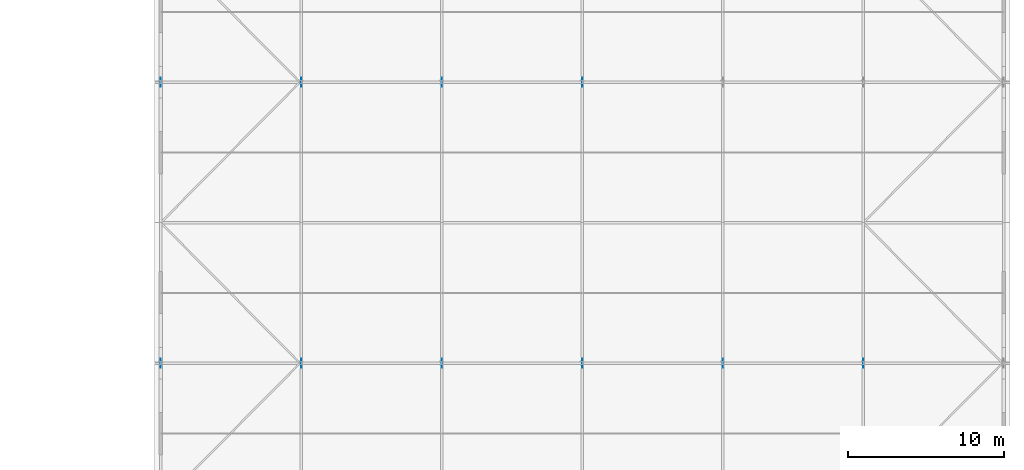
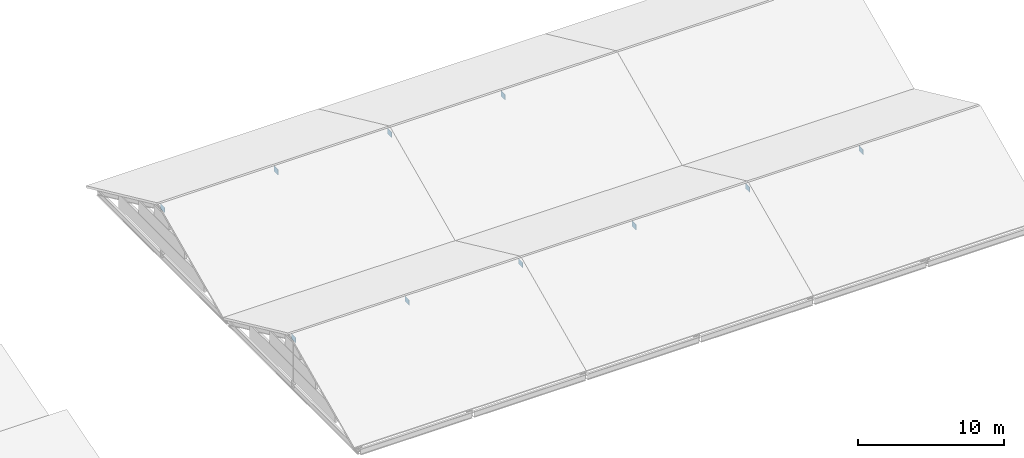
# One storey, part 146 of 163: 10 plates.
"""IFC4 building model written with IfcOpenShell, lengths in metres."""

from ifc_helpers import new_model, si_unit, direction, frame, origin, origin_2d, place, context, subcontext, project, spatial, rectangle, extrude, material, layer, layer_set, type_object, element, save


model = new_model("IFC4")

# Units and contexts
model_context = context("Model", 3, precision=1e-05, world=origin(), true_north=direction((0.0, 1.0)))
body_context = subcontext(model_context, "Body", "Model", "MODEL_VIEW")
ifc_project = project(units=[si_unit("LENGTHUNIT", "METRE"), si_unit("AREAUNIT", "SQUARE_METRE"), si_unit("VOLUMEUNIT", "CUBIC_METRE"), si_unit("PLANEANGLEUNIT", "RADIAN"), si_unit("MASSUNIT", "GRAM", prefix="KILO")], contexts=[model_context])

# Site, building, storey
site_placement = place(None, origin())
site = spatial("IfcSite", under=ifc_project, at=site_placement, CompositionType="ELEMENT")
building_placement = place(site_placement, origin())
building = spatial("IfcBuilding", under=site, at=building_placement, Name="Tharagai Park Tramway Depot", CompositionType="ELEMENT")
storey_placement = place(building_placement, frame((0.0, 0.0, 8.39990234375)))
storey = spatial("IfcBuildingStorey", under=building, at=storey_placement, Name="L02", CompositionType="ELEMENT", Elevation=8.39990234375)

# Plates
ifc_material = material(Name="Steel E350", Category="steel")
ifc_layer_1 = layer(ifc_material, 0.02392578125)
ifc_layer_set_1 = layer_set([ifc_layer_1], Name="Steel E350")
plate_type_1 = type_object("IfcPlateType", Name="GP-02", PredefinedType="SHEET", material=ifc_layer_set_1)
for number, where, z_axis, x_axis, name in (
    (1, (171.0, 108.0, 3.3447265625), (0.0, 0.0, 1.0), (1.0, 0.0, 0.0), "V3B1 Ridge Gusset Plate GP-02"),
    (2, (189.0, 108.0, 3.3447265625), (0.0, 0.0, 1.0), (1.0, 0.0, 0.0), "V3B1 Ridge Gusset Plate GP-02"),
    (3, (207.0, 108.0, 3.3447265625), (0.0, 0.0, 1.0), (1.0, 0.0, 0.0), "V3B1 Ridge Gusset Plate GP-02"),
    (4, (171.0, 126.0, 3.3447265625), (0.0, 0.0, 1.0), (1.0, 0.0, 0.0), "V3B2 Ridge Gusset Plate GP-02"),
    (5, (189.0, 126.0, 3.3447265625), (0.0, 0.0, 1.0), (1.0, 0.0, 0.0), "V3B2 Ridge Gusset Plate GP-02"),
):
    element("IfcPlate", number, at=place(storey_placement, frame(where, z_axis=z_axis, x_axis=x_axis)), inside=storey, type_object=plate_type_1, Name=name, PredefinedType="SHEET", context=body_context, shape_type="SweptSolid", body=[
        extrude(rectangle(XDim=0.02392578125, YDim=0.550048828125, at=origin_2d()), origin(), (0.0, 0.0, 1.0), 0.449951171875),
    ])
ifc_layer_2 = layer(ifc_material, 0.01611328125)
ifc_layer_set_2 = layer_set([ifc_layer_2], Name="Steel E350")
plate_type_2 = type_object("IfcPlateType", Name="GP-03", PredefinedType="SHEET", material=ifc_layer_set_2)
for number, where, z_axis, x_axis, name in (
    (6, (162.0, 108.0, 3.3447265625), (0.0, 0.0, 1.0), (1.0, 0.0, 0.0), "V3B1 Ridge Gusset Plate GP-03"),
    (7, (180.0, 108.0, 3.3447265625), (0.0, 0.0, 1.0), (1.0, 0.0, 0.0), "V3B1 Ridge Gusset Plate GP-03"),
    (8, (198.0, 108.0, 3.3447265625), (0.0, 0.0, 1.0), (1.0, 0.0, 0.0), "V3B1 Ridge Gusset Plate GP-03"),
    (9, (162.0, 126.0, 3.3447265625), (0.0, 0.0, 1.0), (1.0, 0.0, 0.0), "V3B2 Ridge Gusset Plate GP-03"),
    (10, (180.0, 126.0, 3.3447265625), (0.0, 0.0, 1.0), (1.0, 0.0, 0.0), "V3B2 Ridge Gusset Plate GP-03"),
):
    element("IfcPlate", number, at=place(storey_placement, frame(where, z_axis=z_axis, x_axis=x_axis)), inside=storey, type_object=plate_type_2, Name=name, PredefinedType="SHEET", context=body_context, shape_type="SweptSolid", body=[
        extrude(rectangle(XDim=0.01611328125, YDim=0.550048828125, at=origin_2d()), origin(), (0.0, 0.0, 1.0), 0.449951171875),
    ])

save(model, "model.ifc")
